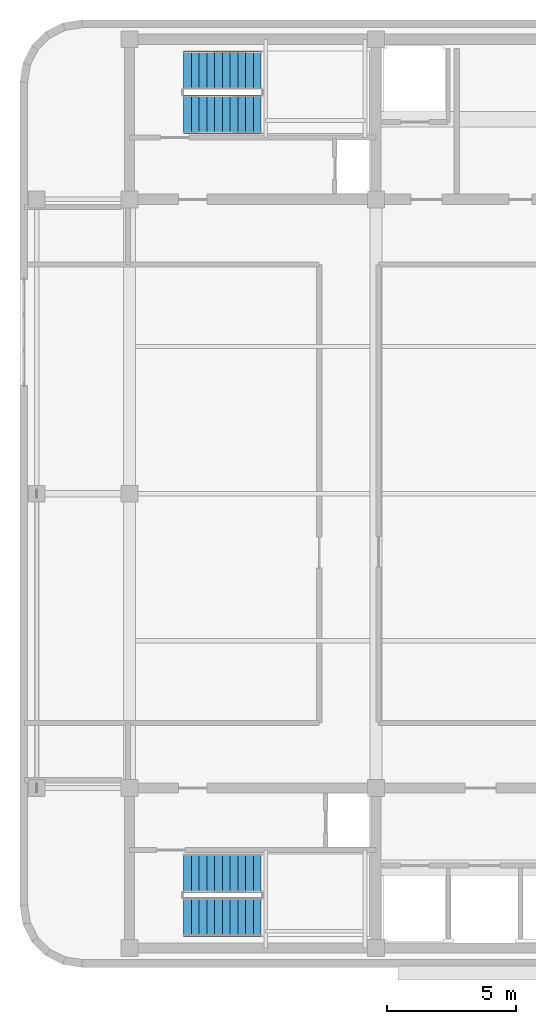
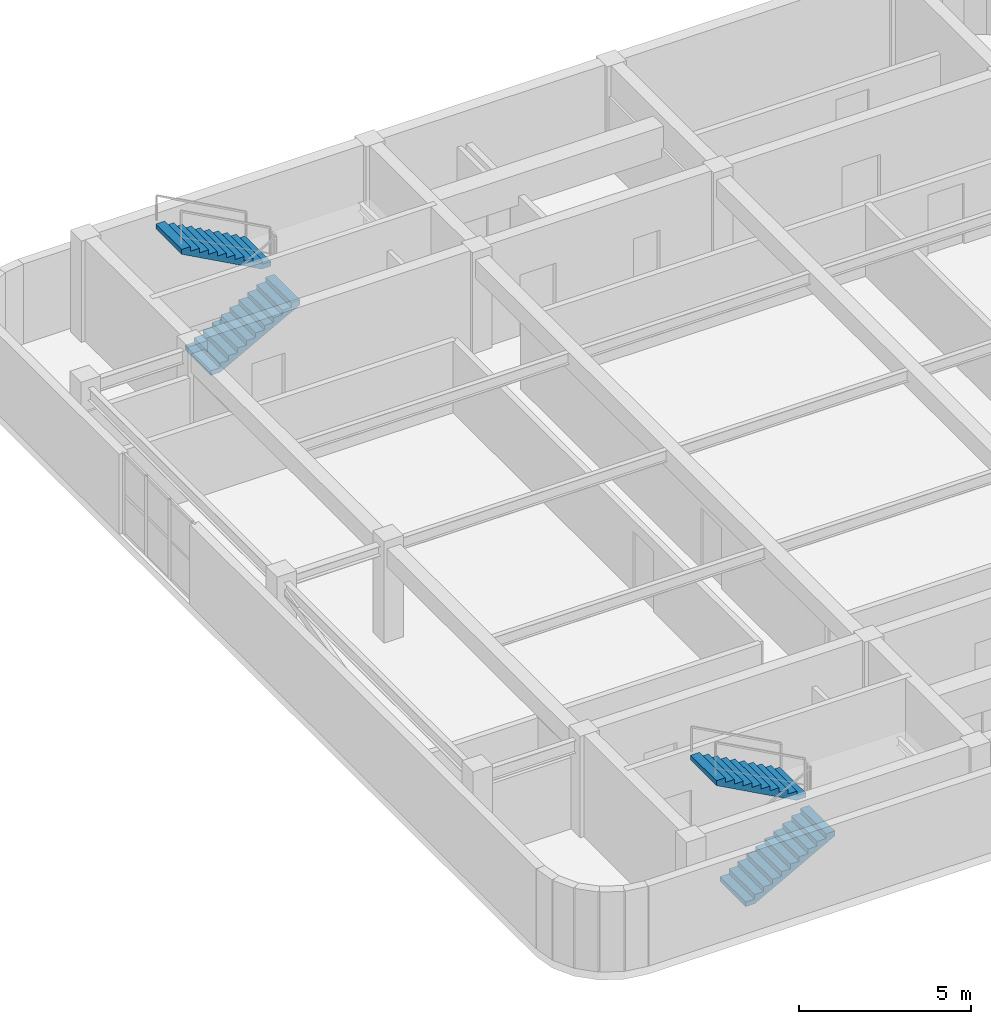
# One storey, part 6 of 9: 4 stair flights, 2 elements without a shape of their own.
"""IFC4 building model written with IfcOpenShell, lengths in metres."""

from ifc_helpers import new_model, si_unit, direction, frame, origin, place, context, subcontext, project, spatial, polyline, outline, extrude, material, type_object, element, aggregate, save


model = new_model("IFC4")

# Units and contexts
model_context = context("Model", 3, precision=1e-05, world=origin(), true_north=direction((0.0, 1.0)))
body_context = subcontext(model_context, "Body", "Model", "MODEL_VIEW")
ifc_project = project(units=[si_unit("LENGTHUNIT", "METRE"), si_unit("AREAUNIT", "SQUARE_METRE"), si_unit("VOLUMEUNIT", "CUBIC_METRE"), si_unit("PLANEANGLEUNIT", "RADIAN"), si_unit("MASSUNIT", "GRAM", prefix="KILO")], contexts=[model_context])

# Site, building, storey
site_placement = place(None, origin())
site = spatial("IfcSite", under=ifc_project, at=site_placement, CompositionType="ELEMENT")
building_placement = place(site_placement, origin())
building = spatial("IfcBuilding", under=site, at=building_placement, Name="Svetorya Sky Lyceum", CompositionType="ELEMENT")
storey_placement = place(building_placement, frame((0.0, 0.0, 305.60009765625)))
storey = spatial("IfcBuildingStorey", under=building, at=storey_placement, Name="C02", CompositionType="ELEMENT", Elevation=305.60009765625)

# Stair, stair flights
ifc_material = material(Name="Concrete C40/50", Category="concrete")
stair_type_1 = type_object("IfcStairType", Name="STR-ST-N", PredefinedType="HALF_TURN_STAIR", material=ifc_material)
stair_1_placement = place(storey_placement, origin())
stair_1 = element("IfcStair", 1, at=stair_1_placement, inside=storey, type_object=stair_type_1, Name="C02 North Core Smoke-Free Exit Stair N3", PredefinedType="HALF_TURN_STAIR")
stair_flight_type_1 = type_object("IfcStairFlightType", Name="SFL-ST-N", PredefinedType="STRAIGHT", material=ifc_material)
stair_flight_1_placement = place(storey_placement, frame((27.699951171875, 42.89990234375, 0.0), z_axis=(0.0, 0.0, 1.0), x_axis=(1.0, 0.0, 0.0)))
stair_flight_1 = element("IfcStairFlight", 2, at=stair_flight_1_placement, type_object=stair_flight_type_1, Name="ST-N flight 1", NumberOfRisers=11, NumberOfTreads=10, PredefinedType="STRAIGHT", RiserHeight=0.163636364, TreadLength=0.3, context=body_context, shape_type="SweptSolid", body=[
    extrude(outline(polyline([(0.0, 0.0), (0.0, 0.16357421875), (0.300048828125, 0.16357421875), (0.300048828125, 0.327392578125), (0.60009765625, 0.327392578125), (0.60009765625, 0.490966796875), (0.89990234375, 0.490966796875), (0.89990234375, 0.654541015625), (1.199951171875, 0.654541015625), (1.199951171875, 0.818115234375), (1.5, 0.818115234375), (1.5, 0.98193359375), (1.800048828125, 0.98193359375), (1.800048828125, 1.1455078125), (2.10009765625, 1.1455078125), (2.10009765625, 1.30908203125), (2.39990234375, 1.30908203125), (2.39990234375, 1.47265625), (2.699951171875, 1.47265625), (2.699951171875, 1.636474609375), (3.0, 1.636474609375), (3.0, 1.800048828125), (3.0, 1.465576171875), (0.31298828125, 0.0), (0.0, 0.0)])), frame((0.0, 0.75, 0.0), z_axis=(0.0, -1.0, 0.0), x_axis=(1.0, 0.0, 0.0)), (0.0, 0.0, 1.0), 1.5),
])
stair_flight_2_placement = place(storey_placement, frame((30.699951171875, 44.60009765625, 1.7998046875), z_axis=(0.0, 0.0, 1.0), x_axis=(-1.0, 0.0, 0.0)))
stair_flight_2 = element("IfcStairFlight", 3, at=stair_flight_2_placement, type_object=stair_flight_type_1, Name="ST-N flight 2", NumberOfRisers=11, NumberOfTreads=10, PredefinedType="STRAIGHT", RiserHeight=0.163636364, TreadLength=0.3, context=body_context, shape_type="SweptSolid", body=[
    extrude(outline(polyline([(0.0, 0.0), (0.0, 0.16357421875), (0.300048828125, 0.16357421875), (0.300048828125, 0.327392578125), (0.60009765625, 0.327392578125), (0.60009765625, 0.490966796875), (0.89990234375, 0.490966796875), (0.89990234375, 0.654541015625), (1.199951171875, 0.654541015625), (1.199951171875, 0.818115234375), (1.5, 0.818115234375), (1.5, 0.98193359375), (1.800048828125, 0.98193359375), (1.800048828125, 1.1455078125), (2.10009765625, 1.1455078125), (2.10009765625, 1.30908203125), (2.39990234375, 1.30908203125), (2.39990234375, 1.47265625), (2.699951171875, 1.47265625), (2.699951171875, 1.636474609375), (3.0, 1.636474609375), (3.0, 1.800048828125), (3.0, 1.465576171875), (0.31298828125, 0.0), (0.0, 0.0)])), frame((0.0, 0.75, 0.0), z_axis=(0.0, -1.0, 0.0), x_axis=(1.0, 0.0, 0.0)), (0.0, 0.0, 1.0), 1.5),
])
aggregate(stair_1, [stair_flight_1, stair_flight_2])

stair_type_2 = type_object("IfcStairType", Name="STR-ST-S", PredefinedType="HALF_TURN_STAIR", material=ifc_material)
stair_2_placement = place(storey_placement, origin())
stair_2 = element("IfcStair", 4, at=stair_2_placement, inside=storey, type_object=stair_type_2, Name="C02 South Core Smoke-Free Exit Stair N2", PredefinedType="HALF_TURN_STAIR")
stair_flight_type_2 = type_object("IfcStairFlightType", Name="SFL-ST-S", PredefinedType="STRAIGHT", material=ifc_material)
stair_flight_3_placement = place(storey_placement, frame((27.699951171875, 11.800048828125, 0.0), z_axis=(0.0, 0.0, 1.0), x_axis=(1.0, 0.0, 0.0)))
stair_flight_3 = element("IfcStairFlight", 5, at=stair_flight_3_placement, type_object=stair_flight_type_2, Name="ST-S flight 1", NumberOfRisers=11, NumberOfTreads=10, PredefinedType="STRAIGHT", RiserHeight=0.163636364, TreadLength=0.3, context=body_context, shape_type="SweptSolid", body=[
    extrude(outline(polyline([(0.0, 0.0), (0.0, 0.16357421875), (0.300048828125, 0.16357421875), (0.300048828125, 0.327392578125), (0.60009765625, 0.327392578125), (0.60009765625, 0.490966796875), (0.89990234375, 0.490966796875), (0.89990234375, 0.654541015625), (1.199951171875, 0.654541015625), (1.199951171875, 0.818115234375), (1.5, 0.818115234375), (1.5, 0.98193359375), (1.800048828125, 0.98193359375), (1.800048828125, 1.1455078125), (2.10009765625, 1.1455078125), (2.10009765625, 1.30908203125), (2.39990234375, 1.30908203125), (2.39990234375, 1.47265625), (2.699951171875, 1.47265625), (2.699951171875, 1.636474609375), (3.0, 1.636474609375), (3.0, 1.800048828125), (3.0, 1.465576171875), (0.31298828125, 0.0), (0.0, 0.0)])), frame((0.0, 0.75, 0.0), z_axis=(0.0, -1.0, 0.0), x_axis=(1.0, 0.0, 0.0)), (0.0, 0.0, 1.0), 1.5),
])
stair_flight_4_placement = place(storey_placement, frame((30.699951171875, 13.5, 1.7998046875), z_axis=(0.0, 0.0, 1.0), x_axis=(-1.0, 0.0, 0.0)))
stair_flight_4 = element("IfcStairFlight", 6, at=stair_flight_4_placement, type_object=stair_flight_type_2, Name="ST-S flight 2", NumberOfRisers=11, NumberOfTreads=10, PredefinedType="STRAIGHT", RiserHeight=0.163636364, TreadLength=0.3, context=body_context, shape_type="SweptSolid", body=[
    extrude(outline(polyline([(0.0, 0.0), (0.0, 0.16357421875), (0.300048828125, 0.16357421875), (0.300048828125, 0.327392578125), (0.60009765625, 0.327392578125), (0.60009765625, 0.490966796875), (0.89990234375, 0.490966796875), (0.89990234375, 0.654541015625), (1.199951171875, 0.654541015625), (1.199951171875, 0.818115234375), (1.5, 0.818115234375), (1.5, 0.98193359375), (1.800048828125, 0.98193359375), (1.800048828125, 1.1455078125), (2.10009765625, 1.1455078125), (2.10009765625, 1.30908203125), (2.39990234375, 1.30908203125), (2.39990234375, 1.47265625), (2.699951171875, 1.47265625), (2.699951171875, 1.636474609375), (3.0, 1.636474609375), (3.0, 1.800048828125), (3.0, 1.465576171875), (0.31298828125, 0.0), (0.0, 0.0)])), frame((0.0, 0.75, 0.0), z_axis=(0.0, -1.0, 0.0), x_axis=(1.0, 0.0, 0.0)), (0.0, 0.0, 1.0), 1.5),
])
aggregate(stair_2, [stair_flight_3, stair_flight_4])

save(model, "model.ifc")
